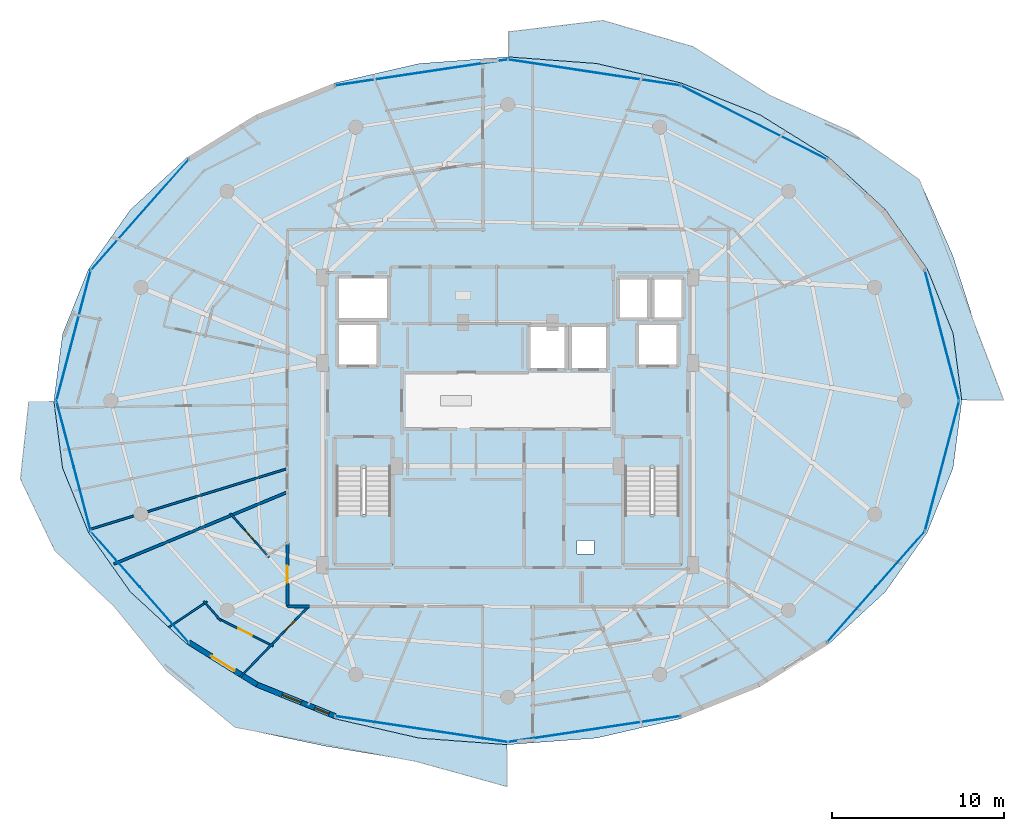
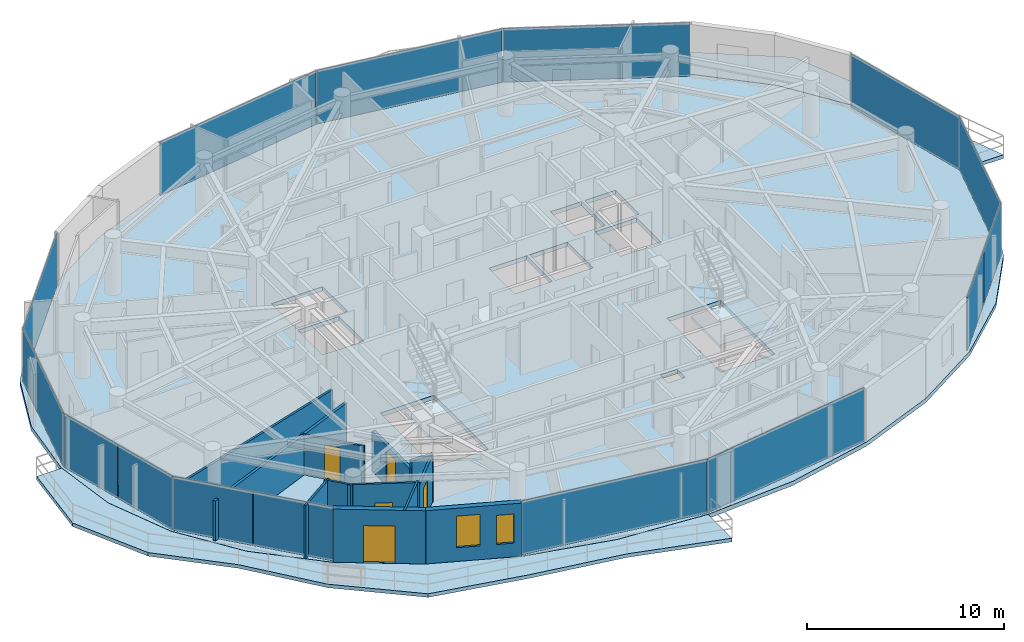
# One storey, part 23 of 32: 15 plates, 12 walls, 5 doors, 5 slabs, 2 windows, 7 openings, 6 elements without a shape of their own.
"""IFC4 building model written with IfcOpenShell, lengths in metres."""

from ifc_helpers import new_model, si_unit, direction, frame, frame_2d, origin, origin_2d, place, context, subcontext, project, spatial, polyline, rectangle, outline, extrude, material, layer, layer_set, type_object, element, fill, aggregate, save


model = new_model("IFC4")

# Units and contexts
model_context = context("Model", 3, precision=1e-05, world=origin(), true_north=direction((0.0, 1.0)))
body_context = subcontext(model_context, "Body", "Model", "MODEL_VIEW")
ifc_project = project(units=[si_unit("LENGTHUNIT", "METRE"), si_unit("AREAUNIT", "SQUARE_METRE"), si_unit("VOLUMEUNIT", "CUBIC_METRE"), si_unit("PLANEANGLEUNIT", "RADIAN"), si_unit("MASSUNIT", "GRAM", prefix="KILO")], contexts=[model_context])

# Site, building, storey
site_placement = place(None, origin())
site = spatial("IfcSite", under=ifc_project, at=site_placement, CompositionType="ELEMENT")
building_placement = place(site_placement, origin())
building = spatial("IfcBuilding", under=site, at=building_placement, Name="Vorneva Point Tower", CompositionType="ELEMENT")
storey_placement = place(building_placement, frame((0.0, 0.0, 269.75)))
storey = spatial("IfcBuildingStorey", under=building, at=storey_placement, Name="L73", CompositionType="ELEMENT", Elevation=269.75)

# Curtain wall, plates
ifc_material_1 = material(Name="Pale anodised aluminium", Category="aluminium")
curtain_wall_type = type_object("IfcCurtainWallType", Name="CW-RES-SYS", PredefinedType="NOTDEFINED", material=ifc_material_1)
curtain_wall_1_placement = place(storey_placement, origin())
curtain_wall_1 = element("IfcCurtainWall", 1, at=curtain_wall_1_placement, inside=storey, type_object=curtain_wall_type, Name="L73 Unitised Curtain Wall CW-L73-R01", PredefinedType="NOTDEFINED")
ifc_material_2 = material(Name="Double low-e laminated glass IGU", Category="glass")
ifc_layer_1 = layer(ifc_material_2, 0.035888671875)
ifc_layer_set_1 = layer_set([ifc_layer_1], Name="Double low-e laminated glass IGU")
plate_type = type_object("IfcPlateType", Name="CW-PNL-VIS", PredefinedType="CURTAIN_PANEL", material=ifc_layer_set_1)
plate_1_placement = place(storey_placement, frame((57.946044921875, 13.598876953125, -0.02001953125), z_axis=(0.0, 0.0, 1.0), x_axis=(0.662188570806, 0.749337238294, 0.0)))
plate_1 = element("IfcPlate", 2, at=plate_1_placement, type_object=plate_type, Name="CW-L73-R01 Glazed Panel 01A", PredefinedType="CURTAIN_PANEL", context=body_context, shape_type="SweptSolid", body=[
    extrude(rectangle(XDim=4.23828125, YDim=0.035888671875, at=origin_2d()), origin(), (0.0, 0.0, 1.0), 3.330078125),
])
plate_2_placement = place(storey_placement, frame((60.785888671875, 16.812255859375, -0.02001953125), z_axis=(0.0, 0.0, 1.0), x_axis=(0.662188570806, 0.749337238294, 0.0)))
plate_2 = element("IfcPlate", 3, at=plate_2_placement, type_object=plate_type, Name="CW-L73-R01 Glazed Panel 01B", PredefinedType="CURTAIN_PANEL", context=body_context, shape_type="SweptSolid", body=[
    extrude(rectangle(XDim=4.23828125, YDim=0.035888671875, at=origin_2d()), origin(), (0.0, 0.0, 1.0), 3.330078125),
])
plate_3_placement = place(storey_placement, frame((63.202880859375, 22.20947265625, -0.02001953125), z_axis=(0.0, 0.0, 1.0), x_axis=(0.254416284022, 0.967094801157, 0.0)))
plate_3 = element("IfcPlate", 4, at=plate_3_placement, type_object=plate_type, Name="CW-L73-R01 Glazed Panel 02", PredefinedType="CURTAIN_PANEL", context=body_context, shape_type="SweptSolid", body=[
    extrude(rectangle(XDim=7.7890625, YDim=0.035888671875, at=origin_2d()), origin(), (0.0, 0.0, 1.0), 3.330078125),
])
plate_4_placement = place(storey_placement, frame((63.202880859375, 29.79052734375, -0.02001953125), z_axis=(0.0, 0.0, 1.0), x_axis=(-0.254416284022, 0.967094801157, 0.0)))
plate_4 = element("IfcPlate", 5, at=plate_4_placement, type_object=plate_type, Name="CW-L73-R01 Glazed Panel 03", PredefinedType="CURTAIN_PANEL", context=body_context, shape_type="SweptSolid", body=[
    extrude(rectangle(XDim=7.7890625, YDim=0.035888671875, at=origin_2d()), origin(), (0.0, 0.0, 1.0), 3.330078125),
])
aggregate(curtain_wall_1, [plate_1, plate_2, plate_3, plate_4])

curtain_wall_2_placement = place(storey_placement, origin())
curtain_wall_2 = element("IfcCurtainWall", 6, at=curtain_wall_2_placement, inside=storey, type_object=curtain_wall_type, Name="L73 Unitised Curtain Wall CW-L73-R02", PredefinedType="NOTDEFINED")
plate_5_placement = place(storey_placement, frame((52.2763671875, 42.15478515625, -0.02001953125), z_axis=(0.0, 0.0, 1.0), x_axis=(-0.892554339087, 0.450939853836, 0.0)))
plate_5 = element("IfcPlate", 7, at=plate_5_placement, type_object=plate_type, Name="CW-L73-R02 Glazed Panel 01", PredefinedType="CURTAIN_PANEL", context=body_context, shape_type="SweptSolid", body=[
    extrude(rectangle(XDim=9.47314453125, YDim=0.035888671875, at=origin_2d()), origin(), (0.0, 0.0, 1.0), 3.330078125),
])
plate_6_placement = place(storey_placement, frame((43.01318359375, 45.055908203125, -0.02001953125), z_axis=(0.0, 0.0, 1.0), x_axis=(-0.988878712919, 0.148724211669, 0.0)))
plate_6 = element("IfcPlate", 8, at=plate_6_placement, type_object=plate_type, Name="CW-L73-R02 Glazed Panel 02", PredefinedType="CURTAIN_PANEL", context=body_context, shape_type="SweptSolid", body=[
    extrude(rectangle(XDim=10.089111328125, YDim=0.035888671875, at=origin_2d()), origin(), (0.0, 0.0, 1.0), 3.330078125),
])
plate_7_placement = place(storey_placement, frame((32.98681640625, 45.055908203125, -0.02001953125), z_axis=(0.0, 0.0, 1.0), x_axis=(-0.988878712919, -0.148724211669, 0.0)))
plate_7 = element("IfcPlate", 9, at=plate_7_placement, type_object=plate_type, Name="CW-L73-R02 Glazed Panel 03", PredefinedType="CURTAIN_PANEL", context=body_context, shape_type="SweptSolid", body=[
    extrude(rectangle(XDim=10.089111328125, YDim=0.035888671875, at=origin_2d()), origin(), (0.0, 0.0, 1.0), 3.330078125),
])
aggregate(curtain_wall_2, [plate_5, plate_6, plate_7])

curtain_wall_3_placement = place(storey_placement, origin())
curtain_wall_3 = element("IfcCurtainWall", 10, at=curtain_wall_3_placement, inside=storey, type_object=curtain_wall_type, Name="L73 Unitised Curtain Wall CW-L73-R03", PredefinedType="NOTDEFINED")
plate_8_placement = place(storey_placement, frame((16.634033203125, 36.79443359375, -0.02001953125), z_axis=(0.0, 0.0, 1.0), x_axis=(-0.662188570806, -0.749337238294, 0.0)))
plate_8 = element("IfcPlate", 11, at=plate_8_placement, type_object=plate_type, Name="CW-L73-R03 Glazed Panel 01", PredefinedType="CURTAIN_PANEL", context=body_context, shape_type="SweptSolid", body=[
    extrude(rectangle(XDim=8.526611328125, YDim=0.035888671875, at=origin_2d()), origin(), (0.0, 0.0, 1.0), 3.330078125),
])
plate_9_placement = place(storey_placement, frame((12.797119140625, 29.79052734375, -0.02001953125), z_axis=(0.0, 0.0, 1.0), x_axis=(-0.254416284022, -0.967094801157, 0.0)))
plate_9 = element("IfcPlate", 12, at=plate_9_placement, type_object=plate_type, Name="CW-L73-R03 Glazed Panel 02", PredefinedType="CURTAIN_PANEL", context=body_context, shape_type="SweptSolid", body=[
    extrude(rectangle(XDim=7.7890625, YDim=0.035888671875, at=origin_2d()), origin(), (0.0, 0.0, 1.0), 3.330078125),
])
plate_10_placement = place(storey_placement, frame((12.298583984375, 24.104736328125, -0.02001953125), z_axis=(0.0, 0.0, 1.0), x_axis=(0.254416284022, -0.967094801157, 0.0)))
plate_10 = element("IfcPlate", 13, at=plate_10_placement, type_object=plate_type, Name="CW-L73-R03 Glazed Panel 03A", PredefinedType="CURTAIN_PANEL", context=body_context, shape_type="SweptSolid", body=[
    extrude(rectangle(XDim=3.869384765625, YDim=0.035888671875, at=origin_2d()), origin(), (0.0, 0.0, 1.0), 3.330078125),
])
plate_11_placement = place(storey_placement, frame((13.2958984375, 20.314208984375, -0.02001953125), z_axis=(0.0, 0.0, 1.0), x_axis=(0.254416284022, -0.967094801157, 0.0)))
plate_11 = element("IfcPlate", 14, at=plate_11_placement, type_object=plate_type, Name="CW-L73-R03 Glazed Panel 03B", PredefinedType="CURTAIN_PANEL", context=body_context, shape_type="SweptSolid", body=[
    extrude(rectangle(XDim=3.869384765625, YDim=0.035888671875, at=origin_2d()), origin(), (0.0, 0.0, 1.0), 3.330078125),
])
plate_12_placement = place(storey_placement, frame((15.214111328125, 16.812255859375, -0.02001953125), z_axis=(0.0, 0.0, 1.0), x_axis=(0.662188570806, -0.749337238294, 0.0)))
plate_12 = element("IfcPlate", 15, at=plate_12_placement, type_object=plate_type, Name="CW-L73-R03 Glazed Panel 04A", PredefinedType="CURTAIN_PANEL", context=body_context, shape_type="SweptSolid", body=[
    extrude(rectangle(XDim=4.23828125, YDim=0.035888671875, at=origin_2d()), origin(), (0.0, 0.0, 1.0), 3.330078125),
])
plate_13_placement = place(storey_placement, frame((18.053955078125, 13.598876953125, -0.02001953125), z_axis=(0.0, 0.0, 1.0), x_axis=(0.662188570806, -0.749337238294, 0.0)))
plate_13 = element("IfcPlate", 16, at=plate_13_placement, type_object=plate_type, Name="CW-L73-R03 Glazed Panel 04B", PredefinedType="CURTAIN_PANEL", context=body_context, shape_type="SweptSolid", body=[
    extrude(rectangle(XDim=4.23828125, YDim=0.035888671875, at=origin_2d()), origin(), (0.0, 0.0, 1.0), 3.330078125),
])
aggregate(curtain_wall_3, [plate_8, plate_9, plate_10, plate_11, plate_12, plate_13])

curtain_wall_4_placement = place(storey_placement, origin())
curtain_wall_4 = element("IfcCurtainWall", 17, at=curtain_wall_4_placement, inside=storey, type_object=curtain_wall_type, Name="L73 Unitised Curtain Wall CW-L73-R04", PredefinedType="NOTDEFINED")
plate_14_placement = place(storey_placement, frame((32.98681640625, 6.944091796875, -0.02001953125), z_axis=(0.0, 0.0, 1.0), x_axis=(0.988878712919, -0.148724211669, 0.0)))
plate_14 = element("IfcPlate", 18, at=plate_14_placement, type_object=plate_type, Name="CW-L73-R04 Glazed Panel 01", PredefinedType="CURTAIN_PANEL", context=body_context, shape_type="SweptSolid", body=[
    extrude(rectangle(XDim=10.089111328125, YDim=0.035888671875, at=origin_2d()), origin(), (0.0, 0.0, 1.0), 3.330078125),
])
plate_15_placement = place(storey_placement, frame((43.01318359375, 6.944091796875, -0.02001953125), z_axis=(0.0, 0.0, 1.0), x_axis=(0.988878712919, 0.148724211669, 0.0)))
plate_15 = element("IfcPlate", 19, at=plate_15_placement, type_object=plate_type, Name="CW-L73-R04 Glazed Panel 02", PredefinedType="CURTAIN_PANEL", context=body_context, shape_type="SweptSolid", body=[
    extrude(rectangle(XDim=10.089111328125, YDim=0.035888671875, at=origin_2d()), origin(), (0.0, 0.0, 1.0), 3.330078125),
])
aggregate(curtain_wall_4, [plate_14, plate_15])

# Slabs
ifc_material_3 = material(Name="Concrete B50 (C40/50)", Category="concrete")
ifc_layer_2 = layer(ifc_material_3, 0.219970703125)
ifc_layer_set_2 = layer_set([ifc_layer_2], Name="Concrete B50 (C40/50)")
slab_type_1 = type_object("IfcSlabType", Name="SLB-BAL-220", PredefinedType="FLOOR", material=ifc_layer_set_2)
slab_1_placement = place(storey_placement, frame((0.0, 0.0, -0.219970703125)))
element("IfcSlab", 20, at=slab_1_placement, inside=storey, type_object=slab_type_1, Name="L73 Cantilevered Wave Balcony NE", PredefinedType="FLOOR", context=body_context, shape_type="SweptSolid", body=[
    extrude(outline(polyline([(38.050048828125, 47.4208984375), (38.050048828125, 45.960205078125), (43.140869140625, 45.58056640625), (43.14111328125, 45.58056640625), (43.1416015625, 45.580322265625), (48.084716796875, 44.444580078125), (48.0849609375, 44.4443359375), (48.085205078125, 44.4443359375), (52.640869140625, 42.599853515625), (52.64111328125, 42.599609375), (52.641357421875, 42.599609375), (56.634521484375, 40.1171875), (56.634765625, 40.1171875), (56.635009765625, 40.11669921875), (59.911865234375, 37.092041015625), (59.912109375, 37.091796875), (59.91259765625, 37.091552734375), (62.347412109375, 33.640625), (62.34765625, 33.640380859375), (62.347900390625, 33.639892578125), (63.847412109375, 29.8955078125), (63.847412109375, 29.895263671875), (63.84765625, 29.894775390625), (63.84765625, 29.89453125), (64.347412109375, 26.050048828125), (66.77587890625, 26.050048828125), (65.166748046875, 30.241455078125), (63.820068359375, 34.4453125), (61.886474609375, 38.833251953125), (57.809814453125, 41.668212890625), (53.209716796875, 43.723388671875), (48.747802734375, 46.556884765625), (43.517822265625, 48.080078125), (38.050048828125, 47.4208984375)])), origin(), (0.0, 0.0, 1.0), 0.219970703125),
])
slab_2_placement = place(storey_placement, frame((0.0, 0.0, -0.219970703125)))
element("IfcSlab", 21, at=slab_2_placement, inside=storey, type_object=slab_type_1, Name="L73 Cantilevered Wave Balcony SW", PredefinedType="FLOOR", context=body_context, shape_type="SweptSolid", body=[
    extrude(outline(polyline([(37.949951171875, 3.60888671875), (37.949951171875, 6.039794921875), (32.859130859375, 6.41943359375), (32.85888671875, 6.41943359375), (32.8583984375, 6.419677734375), (27.915283203125, 7.555419921875), (27.9150390625, 7.5556640625), (27.914794921875, 7.5556640625), (23.359130859375, 9.400146484375), (23.35888671875, 9.400390625), (23.358642578125, 9.400390625), (19.365478515625, 11.8828125), (19.365234375, 11.8828125), (19.364990234375, 11.88330078125), (16.088134765625, 14.907958984375), (16.087890625, 14.908203125), (16.08740234375, 14.908447265625), (13.652587890625, 18.359375), (13.65234375, 18.359619140625), (13.652099609375, 18.360107421875), (12.152587890625, 22.1044921875), (12.152587890625, 22.104736328125), (12.15234375, 22.105224609375), (12.15234375, 22.10546875), (11.652587890625, 25.949951171875), (10.189697265625, 25.949951171875), (9.707275390625, 21.462890625), (11.709716796875, 17.297607421875), (15.143310546875, 14.074951171875), (18.190185546875, 10.331787109375), (22.170166015625, 7.051513671875), (27.41259765625, 5.954345703125), (32.655517578125, 5.07080078125), (37.949951171875, 3.60888671875)])), origin(), (0.0, 0.0, 1.0), 0.219970703125),
])

# Stair, slab
stair_type = type_object("IfcStairType", Name="ST-DOG-1500", PredefinedType="HALF_TURN_STAIR", material=ifc_material_3)
stair_1_placement = place(storey_placement, origin())
stair_1 = element("IfcStair", 22, at=stair_1_placement, inside=storey, type_object=stair_type, Name="L73 ST1", PredefinedType="HALF_TURN_STAIR")
ifc_layer_3 = layer(ifc_material_3, 0.199951171875)
ifc_layer_set_3 = layer_set([ifc_layer_3], Name="Concrete B50 (C40/50)")
slab_type_2 = type_object("IfcSlabType", Name="SLB-LND-200", PredefinedType="LANDING", material=ifc_layer_set_3)
slab_3_placement = place(storey_placement, frame((0.0, 0.0, 1.574951171875)))
slab_3 = element("IfcSlab", 23, at=slab_3_placement, type_object=slab_type_2, Name="ST1 landing 1", PredefinedType="LANDING", context=body_context, shape_type="SweptSolid", body=[
    extrude(outline(polyline([(27.929931640625, 16.47998046875), (31.320068359375, 16.47998046875), (31.320068359375, 19.43994140625), (27.929931640625, 19.43994140625), (27.929931640625, 16.47998046875)])), origin(), (0.0, 0.0, 1.0), 0.199951171875),
])
aggregate(stair_1, [slab_3])

stair_2_placement = place(storey_placement, origin())
stair_2 = element("IfcStair", 24, at=stair_2_placement, inside=storey, type_object=stair_type, Name="L73 ST2", PredefinedType="HALF_TURN_STAIR")
slab_4_placement = place(storey_placement, frame((0.0, 0.0, 1.574951171875)))
slab_4 = element("IfcSlab", 25, at=slab_4_placement, type_object=slab_type_2, Name="ST2 landing 1", PredefinedType="LANDING", context=body_context, shape_type="SweptSolid", body=[
    extrude(outline(polyline([(44.679931640625, 16.47998046875), (48.070068359375, 16.47998046875), (48.070068359375, 19.43994140625), (44.679931640625, 19.43994140625), (44.679931640625, 16.47998046875)])), origin(), (0.0, 0.0, 1.0), 0.199951171875),
])
aggregate(stair_2, [slab_4])

# Slab
ifc_layer_4 = layer(ifc_material_3, 0.260009765625)
ifc_layer_set_4 = layer_set([ifc_layer_4], Name="Concrete B50 (C40/50)")
slab_type_3 = type_object("IfcSlabType", Name="SLB-TYP-260", PredefinedType="FLOOR", material=ifc_layer_set_4)
slab_5_placement = place(storey_placement, frame((0.0, 0.0, -0.260009765625)))
element("IfcSlab", 26, at=slab_5_placement, inside=storey, type_object=slab_type_3, Name="L73 Structural Floor Plate", PredefinedType="FLOOR", context=body_context, shape_type="SweptSolid", body=[
    extrude(outline(polyline([(64.35009765625, 26.0), (63.84375, 29.89404296875), (62.34423828125, 33.638427734375), (59.9091796875, 37.089111328125), (56.63232421875, 40.114013671875), (52.639404296875, 42.59619140625), (48.083740234375, 44.440673828125), (43.140625, 45.576416015625), (38.0, 45.9599609375), (32.859375, 45.576416015625), (27.916259765625, 44.440673828125), (23.360595703125, 42.59619140625), (19.36767578125, 40.114013671875), (16.0908203125, 37.089111328125), (13.65576171875, 33.638427734375), (12.15625, 29.89404296875), (11.64990234375, 26.0), (12.15625, 22.10595703125), (13.65576171875, 18.361572265625), (16.0908203125, 14.910888671875), (19.36767578125, 11.885986328125), (23.360595703125, 9.40380859375), (27.916259765625, 7.559326171875), (32.859375, 6.423583984375), (38.0, 6.0400390625), (43.140625, 6.423583984375), (48.083740234375, 7.559326171875), (52.639404296875, 9.40380859375), (56.63232421875, 11.885986328125), (59.9091796875, 14.910888671875), (62.34423828125, 18.361572265625), (63.84375, 22.10595703125), (64.35009765625, 26.0)]), holes=[polyline([(39.199951171875, 27.800048828125), (41.39990234375, 27.800048828125), (41.39990234375, 30.39990234375), (39.199951171875, 30.39990234375), (39.199951171875, 27.800048828125)]), polyline([(41.60009765625, 27.800048828125), (43.800048828125, 27.800048828125), (43.800048828125, 30.39990234375), (41.60009765625, 30.39990234375), (41.60009765625, 27.800048828125)]), polyline([(44.39990234375, 30.739990234375), (46.199951171875, 30.739990234375), (46.199951171875, 33.159912109375), (44.39990234375, 33.159912109375), (44.39990234375, 30.739990234375)]), polyline([(46.39990234375, 30.739990234375), (48.199951171875, 30.739990234375), (48.199951171875, 33.159912109375), (46.39990234375, 33.159912109375), (46.39990234375, 30.739990234375)]), polyline([(28.10009765625, 28.0), (30.5, 28.0), (30.5, 30.5), (28.10009765625, 30.5), (28.10009765625, 28.0)]), polyline([(45.5, 28.0), (47.89990234375, 28.0), (47.89990234375, 30.5), (45.5, 30.5), (45.5, 28.0)]), polyline([(28.10009765625, 30.699951171875), (31.10009765625, 30.699951171875), (31.10009765625, 33.199951171875), (28.10009765625, 33.199951171875), (28.10009765625, 30.699951171875)]), polyline([(28.050048828125, 16.60009765625), (31.199951171875, 16.60009765625), (31.199951171875, 22.080078125), (28.050048828125, 22.080078125), (28.050048828125, 16.60009765625)]), polyline([(44.800048828125, 16.60009765625), (47.949951171875, 16.60009765625), (47.949951171875, 22.080078125), (44.800048828125, 22.080078125), (44.800048828125, 16.60009765625)]), polyline([(42.0, 17.10009765625), (43.0, 17.10009765625), (43.0, 17.89990234375), (42.0, 17.89990234375), (42.0, 17.10009765625)])]), origin(), (0.0, 0.0, 1.0), 0.260009765625),
])

# Wall, opening, door
ifc_material_4 = material(Name="Precast concrete B50 (C40/50)", Category="concrete")
ifc_layer_5 = layer(ifc_material_4, 0.300048828125)
ifc_layer_set_5 = layer_set([ifc_layer_5], Name="Precast concrete B50 (C40/50)")
wall_type_1 = type_object("IfcWallType", Name="WL-EXT-300", PredefinedType="STANDARD", material=ifc_layer_set_5)
wall_1_placement = place(storey_placement, frame((19.473876953125, 11.9921875, 0.0), z_axis=(0.0, 0.0, 1.0), x_axis=(0.849702323036, -0.527262707032, 0.0)))
wall_1 = element("IfcWall", 27, at=wall_1_placement, inside=storey, type_object=wall_type_1, Name="L73 Pale-Metal Facade Spandrel Wall 11.1", PredefinedType="STANDARD", context=body_context, shape_type="SweptSolid", body=[
    extrude(rectangle(XDim=4.67236328125, YDim=0.300048828125, at=frame_2d((2.336181640625, 0.0))), origin(), (0.0, 0.0, 1.0), 3.2900390625),
])
opening_1_placement = place(wall_1_placement, frame((1.536376953125, 0.0, 0.0)))
opening_1 = element("IfcOpeningElement", 28, at=opening_1_placement, cuts=wall_1, Name="Opening BD-01", PredefinedType="OPENING", context=body_context, shape_type="SweptSolid", body=[
    extrude(rectangle(XDim=1.60009765625, YDim=2.300048828125, at=frame_2d((0.800048828125, 1.14990234375))), frame((0.0, 0.1650390625, 0.0), z_axis=(0.0, -1.0, 0.0), x_axis=(1.0, 0.0, 0.0)), (0.0, 0.0, 1.0), 0.329833984375),
])
door_type_1 = type_object("IfcDoorType", Name="DR-BAL-1600", OperationType="SLIDING_TO_LEFT", PredefinedType="DOOR", material=ifc_material_1)
door_1_placement = place(opening_1_placement, origin())
door_1 = element("IfcDoor", 29, at=door_1_placement, inside=storey, type_object=door_type_1, Name="L73 Balcony Terrace Access Door 11", OperationType="SLIDING_TO_LEFT", OverallHeight=2.300048828125, OverallWidth=1.60009765625, PredefinedType="DOOR", context=body_context, shape_type="SweptSolid", body=[
    extrude(rectangle(XDim=1.60009765625, YDim=2.300048828125, at=frame_2d((0.800048828125, 1.14990234375))), frame((0.0, 0.02490234375, 0.0), z_axis=(0.0, -1.0, 0.0), x_axis=(1.0, 0.0, 0.0)), (0.0, 0.0, 1.0), 0.050048828125),
])
fill(opening_1, door_1)

# Wall, openings, windows
wall_2_placement = place(storey_placement, frame((23.444091796875, 9.528564453125, 0.0), z_axis=(0.0, 0.0, 1.0), x_axis=(0.927147375511, -0.374696869594, 0.0)))
wall_2 = element("IfcWall", 30, at=wall_2_placement, inside=storey, type_object=wall_type_1, Name="L73 Pale-Metal Facade Spandrel Wall 11.2", PredefinedType="STANDARD", context=body_context, shape_type="SweptSolid", body=[
    extrude(rectangle(XDim=4.885498046875, YDim=0.300048828125, at=frame_2d((2.44287109375, 0.0))), origin(), (0.0, 0.0, 1.0), 3.2900390625),
])
opening_2_placement = place(wall_2_placement, frame((1.573974609375, 0.0, 0.85009765625)))
opening_2 = element("IfcOpeningElement", 31, at=opening_2_placement, cuts=wall_2, Name="Opening W-04", PredefinedType="OPENING", context=body_context, shape_type="SweptSolid", body=[
    extrude(rectangle(XDim=1.199951171875, YDim=1.949951171875, at=frame_2d((0.60009765625, 0.97509765625))), frame((0.0, 0.1650390625, 0.0), z_axis=(0.0, -1.0, 0.0), x_axis=(1.0, 0.0, 0.0)), (0.0, 0.0, 1.0), 0.329833984375),
])
opening_3_placement = place(wall_2_placement, frame((3.6064453125, 0.0, 0.85009765625)))
opening_3 = element("IfcOpeningElement", 32, at=opening_3_placement, cuts=wall_2, Name="Opening W-08", PredefinedType="OPENING", context=body_context, shape_type="SweptSolid", body=[
    extrude(rectangle(XDim=0.89990234375, YDim=1.800048828125, at=frame_2d((0.449951171875, 0.89990234375))), frame((0.0, 0.1650390625, 0.0), z_axis=(0.0, -1.0, 0.0), x_axis=(1.0, 0.0, 0.0)), (0.0, 0.0, 1.0), 0.329833984375),
])
window_type_1 = type_object("IfcWindowType", Name="WN-CAS-900", PartitioningType="SINGLE_PANEL", PredefinedType="WINDOW", material=ifc_material_2)
window_1_placement = place(opening_3_placement, origin())
window_1 = element("IfcWindow", 33, at=window_1_placement, inside=storey, type_object=window_type_1, Name="L73 Dwelling Vision Window 02", OverallHeight=1.800048828125, OverallWidth=0.89990234375, PartitioningType="SINGLE_PANEL", PredefinedType="WINDOW", context=body_context, shape_type="SweptSolid", body=[
    extrude(rectangle(XDim=0.89990234375, YDim=1.800048828125, at=frame_2d((0.449951171875, 0.89990234375))), frame((0.0, 0.030029296875, 0.0), z_axis=(0.0, -1.0, 0.0), x_axis=(1.0, 0.0, 0.0)), (0.0, 0.0, 1.0), 0.06005859375),
])
fill(opening_3, window_1)
window_type_2 = type_object("IfcWindowType", Name="WN-RES-1200", PartitioningType="SINGLE_PANEL", PredefinedType="WINDOW", material=ifc_material_2)
window_2_placement = place(opening_2_placement, origin())
window_2 = element("IfcWindow", 34, at=window_2_placement, inside=storey, type_object=window_type_2, Name="L73 Dwelling Vision Window 01", OverallHeight=1.949951171875, OverallWidth=1.199951171875, PartitioningType="SINGLE_PANEL", PredefinedType="WINDOW", context=body_context, shape_type="SweptSolid", body=[
    extrude(rectangle(XDim=1.199951171875, YDim=1.949951171875, at=frame_2d((0.60009765625, 0.97509765625))), frame((0.0, 0.030029296875, 0.0), z_axis=(0.0, -1.0, 0.0), x_axis=(1.0, 0.0, 0.0)), (0.0, 0.0, 1.0), 0.06005859375),
])
fill(opening_2, window_2)

# Wall, opening, door
ifc_material_5 = material(Name="Fire-rated acoustic gypsum stud partition", Category="gypsum")
ifc_layer_6 = layer(ifc_material_5, 0.110107421875)
ifc_layer_set_6 = layer_set([ifc_layer_6], Name="Fire-rated acoustic gypsum stud partition")
wall_type_2 = type_object("IfcWallType", Name="WL-PART-110", PredefinedType="PARTITIONING", material=ifc_layer_set_6)
wall_3_placement = place(storey_placement, frame((24.1416015625, 16.906005859375, 0.0), z_axis=(0.0, 0.0, 1.0), x_axis=(-0.662044708061, 0.749464345068, 0.0)))
wall_3 = element("IfcWall", 35, at=wall_3_placement, inside=storey, type_object=wall_type_2, Name="L73 Interior Partition 104", PredefinedType="PARTITIONING", context=body_context, shape_type="SweptSolid", body=[
    extrude(rectangle(XDim=3.41552734375, YDim=0.110107421875, at=frame_2d((1.707763671875, 0.0))), origin(), (0.0, 0.0, 1.0), 2.48193359375),
])
opening_4_placement = place(wall_3_placement, frame((1.28271484375, 0.0, 0.0)))
opening_4 = element("IfcOpeningElement", 36, at=opening_4_placement, cuts=wall_3, Name="Opening ID-02", PredefinedType="OPENING", context=body_context, shape_type="SweptSolid", body=[
    extrude(rectangle(XDim=0.85009765625, YDim=2.10009765625, at=frame_2d((0.425048828125, 1.050048828125))), frame((0.0, 0.06982421875, 0.0), z_axis=(0.0, -1.0, 0.0), x_axis=(1.0, 0.0, 0.0)), (0.0, 0.0, 1.0), 0.139892578125),
])
ifc_material_6 = material(Name="Engineered oak fire-rated door leaf", Category="wood")
door_type_2 = type_object("IfcDoorType", Name="DR-BATH-850", OperationType="NOTDEFINED", PredefinedType="DOOR", material=ifc_material_6)
door_2_placement = place(opening_4_placement, origin())
door_2 = element("IfcDoor", 37, at=door_2_placement, inside=storey, type_object=door_type_2, Name="L73 Door Living and Dining Room L73-05 / Bathroom L73-05", OperationType="SINGLE_SWING_LEFT", OverallHeight=2.10009765625, OverallWidth=0.85009765625, PredefinedType="DOOR", context=body_context, shape_type="SweptSolid", body=[
    extrude(rectangle(XDim=0.85009765625, YDim=2.10009765625, at=frame_2d((0.425048828125, 1.050048828125))), frame((0.0, 0.02490234375, 0.0), z_axis=(0.0, -1.0, 0.0), x_axis=(1.0, 0.0, 0.0)), (0.0, 0.0, 1.0), 0.050048828125),
])
fill(opening_4, door_2)

# Wall
wall_4_placement = place(storey_placement, frame((20.33935546875, 14.373779296875, 0.0), z_axis=(0.0, 0.0, 1.0), x_axis=(0.662352602393, -0.749192251764, 0.0)))
element("IfcWall", 38, at=wall_4_placement, inside=storey, type_object=wall_type_2, Name="L73 Interior Partition 105", PredefinedType="PARTITIONING", context=body_context, shape_type="SweptSolid", body=[
    extrude(rectangle(XDim=1.523681640625, YDim=0.110107421875, at=frame_2d((0.76171875, 0.0))), origin(), (0.0, 0.0, 1.0), 3.2900390625),
])

# Wall, opening, door
wall_5_placement = place(storey_placement, frame((21.131103515625, 13.400146484375, 0.0), z_axis=(0.0, 0.0, 1.0), x_axis=(0.892570631547, -0.450907604394, 0.0)))
wall_5 = element("IfcWall", 39, at=wall_5_placement, inside=storey, type_object=wall_type_2, Name="L73 Interior Partition 106", PredefinedType="PARTITIONING", context=body_context, shape_type="SweptSolid", body=[
    extrude(rectangle(XDim=3.64453125, YDim=0.110107421875, at=frame_2d((1.822265625, 0.0))), origin(), (0.0, 0.0, 1.0), 3.2900390625),
])
opening_5_placement = place(wall_5_placement, frame((1.372314453125, 0.0, 0.0)))
opening_5 = element("IfcOpeningElement", 40, at=opening_5_placement, cuts=wall_5, Name="Opening ID-01", PredefinedType="OPENING", context=body_context, shape_type="SweptSolid", body=[
    extrude(rectangle(XDim=0.89990234375, YDim=2.10009765625, at=frame_2d((0.449951171875, 1.050048828125))), frame((0.0, 0.06982421875, 0.0), z_axis=(0.0, -1.0, 0.0), x_axis=(1.0, 0.0, 0.0)), (0.0, 0.0, 1.0), 0.139892578125),
])
door_type_3 = type_object("IfcDoorType", Name="DR-ROOM-900", OperationType="NOTDEFINED", PredefinedType="DOOR", material=ifc_material_6)
door_3_placement = place(opening_5_placement, origin())
door_3 = element("IfcDoor", 41, at=door_3_placement, inside=storey, type_object=door_type_3, Name="L73 Door Living and Dining Room L73-05 / Kitchen L73-05", OperationType="SINGLE_SWING_RIGHT", OverallHeight=2.10009765625, OverallWidth=0.89990234375, PredefinedType="DOOR", context=body_context, shape_type="SweptSolid", body=[
    extrude(rectangle(XDim=0.89990234375, YDim=2.10009765625, at=frame_2d((0.449951171875, 1.050048828125))), frame((0.0, 0.02490234375, 0.0), z_axis=(0.0, -1.0, 0.0), x_axis=(1.0, 0.0, 0.0)), (0.0, 0.0, 1.0), 0.050048828125),
])
fill(opening_5, door_3)

# Walls
wall_6_placement = place(storey_placement, frame((18.32763671875, 12.8642578125, 0.0), z_axis=(0.0, 0.0, 1.0), x_axis=(0.831712526046, 0.555206514748, 0.0)))
element("IfcWall", 42, at=wall_6_placement, inside=storey, type_object=wall_type_2, Name="L73 Interior Partition 107", PredefinedType="PARTITIONING", context=body_context, shape_type="SweptSolid", body=[
    extrude(rectangle(XDim=2.669921875, YDim=0.110107421875, at=frame_2d((1.3349609375, 0.0))), origin(), (0.0, 0.0, 1.0), 3.2900390625),
])
wall_7_placement = place(storey_placement, frame((22.469482421875, 9.973388671875, 0.0), z_axis=(0.0, 0.0, 1.0), x_axis=(0.695944713466, 0.718095366786, 0.0)))
element("IfcWall", 43, at=wall_7_placement, inside=storey, type_object=wall_type_2, Name="L73 Interior Partition 109", PredefinedType="PARTITIONING", context=body_context, shape_type="SweptSolid", body=[
    extrude(rectangle(XDim=2.71142578125, YDim=0.110107421875, at=frame_2d((1.355712890625, 0.0))), origin(), (0.0, 0.0, 1.0), 3.2900390625),
])
ifc_layer_7 = layer(ifc_material_5, 0.125)
ifc_layer_set_7 = layer_set([ifc_layer_7], Name="Fire-rated acoustic gypsum stud partition")
wall_type_3 = type_object("IfcWallType", Name="WL-PART-125", PredefinedType="PARTITIONING", material=ifc_layer_set_7)
wall_8_placement = place(storey_placement, frame((13.7470703125, 18.5390625, 0.0), z_axis=(0.0, 0.0, 1.0), x_axis=(0.955802794564, 0.294008533725, 0.0)))
element("IfcWall", 44, at=wall_8_placement, inside=storey, type_object=wall_type_3, Name="L73 Interior Partition 101", PredefinedType="PARTITIONING", context=body_context, shape_type="SweptSolid", body=[
    extrude(rectangle(XDim=11.982421875, YDim=0.125, at=frame_2d((5.9912109375, 0.0))), origin(), (0.0, 0.0, 1.0), 2.48193359375),
])

# Wall, opening, door
wall_9_placement = place(storey_placement, frame((24.259033203125, 11.820068359375, 0.0), z_axis=(0.0, 0.0, 1.0), x_axis=(0.695894072482, 0.718144442215, 0.0)))
wall_9 = element("IfcWall", 45, at=wall_9_placement, inside=storey, type_object=wall_type_3, Name="L73 Interior Partition 108", PredefinedType="PARTITIONING", context=body_context, shape_type="SweptSolid", body=[
    extrude(rectangle(XDim=3.105224609375, YDim=0.125, at=frame_2d((1.552734375, 0.0))), origin(), (0.0, 0.0, 1.0), 2.8740234375),
])
opening_6_placement = place(wall_9_placement, frame((1.1025390625, 0.0, 0.0)))
opening_6 = element("IfcOpeningElement", 46, at=opening_6_placement, cuts=wall_9, Name="Opening ID-01", PredefinedType="OPENING", context=body_context, shape_type="SweptSolid", body=[
    extrude(rectangle(XDim=0.89990234375, YDim=2.10009765625, at=frame_2d((0.449951171875, 1.050048828125))), frame((0.0, 0.077392578125, 0.0), z_axis=(0.0, -1.0, 0.0), x_axis=(1.0, 0.0, 0.0)), (0.0, 0.0, 1.0), 0.15478515625),
])
door_4_placement = place(opening_6_placement, origin())
door_4 = element("IfcDoor", 47, at=door_4_placement, inside=storey, type_object=door_type_3, Name="L73 Door Living and Dining Room L73-05 / Master Bedroom L73-05.1", OperationType="SINGLE_SWING_LEFT", OverallHeight=2.10009765625, OverallWidth=0.89990234375, PredefinedType="DOOR", context=body_context, shape_type="SweptSolid", body=[
    extrude(rectangle(XDim=0.89990234375, YDim=2.10009765625, at=frame_2d((0.449951171875, 1.050048828125))), frame((0.0, 0.02490234375, 0.0), z_axis=(0.0, -1.0, 0.0), x_axis=(1.0, 0.0, 0.0)), (0.0, 0.0, 1.0), 0.050048828125),
])
fill(opening_6, door_4)

# Wall
ifc_layer_8 = layer(ifc_material_5, 0.159912109375)
ifc_layer_set_8 = layer_set([ifc_layer_8], Name="Fire-rated acoustic gypsum stud partition")
wall_type_4 = type_object("IfcWallType", Name="WL-PART-160", PredefinedType="PARTITIONING", material=ifc_layer_set_8)
wall_10_placement = place(storey_placement, frame((15.133056640625, 16.528076171875, 0.0), z_axis=(0.0, 0.0, 1.0), x_axis=(0.923877013663, 0.382689513347, 0.0)))
element("IfcWall", 48, at=wall_10_placement, inside=storey, type_object=wall_type_4, Name="L73 Interior Partition 102", PredefinedType="PARTITIONING", context=body_context, shape_type="SweptSolid", body=[
    extrude(rectangle(XDim=10.896240234375, YDim=0.159912109375, at=frame_2d((5.4482421875, 0.0))), origin(), (0.0, 0.0, 1.0), 2.48193359375),
])

# Wall, opening, door
ifc_material_7 = material(Name="Autoclaved aerated concrete blockwork", Category="masonry")
ifc_layer_9 = layer(ifc_material_7, 0.179931640625)
ifc_layer_set_9 = layer_set([ifc_layer_9], Name="Autoclaved aerated concrete blockwork")
wall_type_5 = type_object("IfcWallType", Name="WL-PART-180", PredefinedType="PARTITIONING", material=ifc_layer_set_9)
wall_11_placement = place(storey_placement, frame((25.199951171875, 17.81201171875, 0.0), z_axis=(0.0, 0.0, 1.0), x_axis=(0.0, -1.0, 0.0)))
wall_11 = element("IfcWall", 49, at=wall_11_placement, inside=storey, type_object=wall_type_5, Name="L73 Interior Partition 048", PredefinedType="PARTITIONING", context=body_context, shape_type="SweptSolid", body=[
    extrude(rectangle(XDim=3.761962890625, YDim=0.179931640625, at=frame_2d((1.880859375, 0.0))), origin(), (0.0, 0.0, 1.0), 2.48193359375),
])
opening_7_placement = place(wall_11_placement, frame((1.381103515625, 0.0, 0.0)))
opening_7 = element("IfcOpeningElement", 50, at=opening_7_placement, cuts=wall_11, Name="Opening UD-01", PredefinedType="OPENING", context=body_context, shape_type="SweptSolid", body=[
    extrude(rectangle(XDim=1.0, YDim=2.14990234375, at=frame_2d((0.5, 1.074951171875))), frame((0.0, 0.10498046875, 0.0), z_axis=(0.0, -1.0, 0.0), x_axis=(1.0, 0.0, 0.0)), (0.0, 0.0, 1.0), 0.209716796875),
])
door_type_4 = type_object("IfcDoorType", Name="DR-UNIT-1000", OperationType="NOTDEFINED", PredefinedType="DOOR", material=ifc_material_6)
door_5_placement = place(opening_7_placement, origin())
door_5 = element("IfcDoor", 51, at=door_5_placement, inside=storey, type_object=door_type_4, Name="L73 Door L73 Circulation Corridor / Living and Dining Room L73-05", OperationType="SINGLE_SWING_RIGHT", OverallHeight=2.14990234375, OverallWidth=1.0, PredefinedType="DOOR", context=body_context, shape_type="SweptSolid", body=[
    extrude(rectangle(XDim=1.0, YDim=2.14990234375, at=frame_2d((0.5, 1.074951171875))), frame((0.0, 0.02490234375, 0.0), z_axis=(0.0, -1.0, 0.0), x_axis=(1.0, 0.0, 0.0)), (0.0, 0.0, 1.0), 0.050048828125),
])
fill(opening_7, door_5)

# Wall
wall_12_placement = place(storey_placement, frame((25.199951171875, 14.050048828125, 0.0), z_axis=(0.0, 0.0, 1.0), x_axis=(1.0, 0.0, 0.0)))
element("IfcWall", 52, at=wall_12_placement, inside=storey, type_object=wall_type_5, Name="L73 Interior Partition 049", PredefinedType="PARTITIONING", context=body_context, shape_type="SweptSolid", body=[
    extrude(rectangle(XDim=1.280029296875, YDim=0.179931640625, at=frame_2d((0.64013671875, 0.0))), origin(), (0.0, 0.0, 1.0), 2.93603515625),
])

save(model, "model.ifc")
